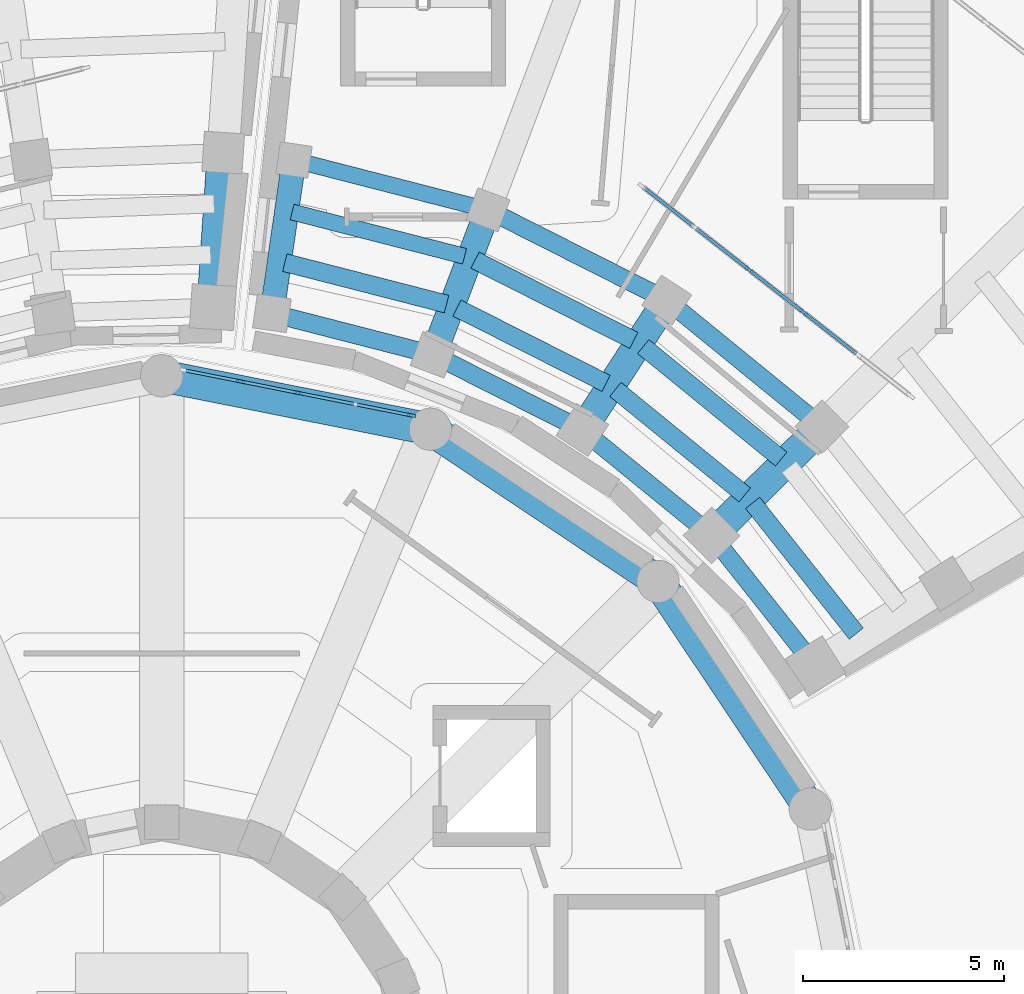
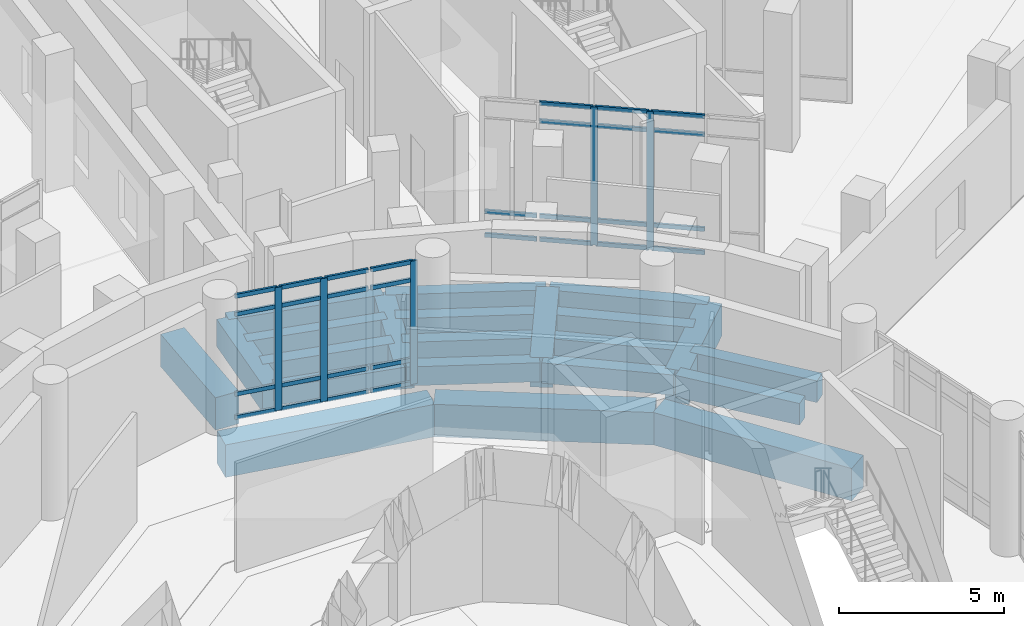
# One storey, part 24 of 74: 35 members, 22 beams, 2 elements without a shape of their own.
"""IFC4 building model written with IfcOpenShell, lengths in metres."""

from ifc_helpers import new_model, si_unit, direction, frame, origin, origin_2d, place, context, subcontext, project, spatial, rectangle, extrude, material, material_profile, profile_set, type_object, element, aggregate, save


model = new_model("IFC4")

# Units and contexts
model_context = context("Model", 3, precision=1e-05, world=origin(), true_north=direction((0.0, 1.0)))
body_context = subcontext(model_context, "Body", "Model", "MODEL_VIEW")
ifc_project = project(units=[si_unit("LENGTHUNIT", "METRE"), si_unit("AREAUNIT", "SQUARE_METRE"), si_unit("VOLUMEUNIT", "CUBIC_METRE"), si_unit("PLANEANGLEUNIT", "RADIAN"), si_unit("MASSUNIT", "GRAM", prefix="KILO")], contexts=[model_context])

# Site, building, storey
site_placement = place(None, origin())
site = spatial("IfcSite", under=ifc_project, at=site_placement, CompositionType="ELEMENT")
building_placement = place(site_placement, origin())
building = spatial("IfcBuilding", under=site, at=building_placement, Name="Soyqirgoq Riverine Aquarium", CompositionType="ELEMENT")
storey_placement = place(building_placement, origin())
storey = spatial("IfcBuildingStorey", under=building, at=storey_placement, Name="L01", CompositionType="ELEMENT", Elevation=0.0)

# Beams
ifc_material_1 = material(Name="Concrete C40/50", Category="concrete")
ifc_material_profile_1 = material_profile(ifc_material_1, rectangle(XDim=0.39990234375, YDim=0.699951171875, at=origin_2d()), Name="RC 400x700")
ifc_profile_set_1 = profile_set([ifc_material_profile_1], Name="Concrete C40/50")
beam_type_1 = type_object("IfcBeamType", Name="Beam_RC_400x700", PredefinedType="BEAM", material=ifc_profile_set_1)
beam_1_placement = place(storey_placement, frame((63.52734375, 77.421630859375, -0.699951171875), z_axis=(-0.968581092825, 0.248697942538, 0.0), x_axis=(-0.248697942538, -0.968581092825, 0.0)))
element("IfcBeam", 1, at=beam_1_placement, inside=storey, type_object=beam_type_1, Name="V5 L01 Secondary Floor Joist 0772", PredefinedType="BEAM", context=body_context, shape_type="SweptSolid", body=[
    extrude(rectangle(XDim=0.39990234375, YDim=0.699951171875, at=origin_2d()), origin(), (0.0, 0.0, 1.0), 4.42431640625),
])
beam_2_placement = place(storey_placement, frame((64.0615234375, 78.588623046875, -0.699951171875), z_axis=(-0.968580462417, 0.248700397717, 0.0), x_axis=(-0.248700397717, -0.968580462417, 0.0)))
element("IfcBeam", 2, at=beam_2_placement, inside=storey, type_object=beam_type_1, Name="V5 L01 Wedge Chord Beam 0776", PredefinedType="BEAM", context=body_context, shape_type="SweptSolid", body=[
    extrude(rectangle(XDim=0.39990234375, YDim=0.699951171875, at=origin_2d()), origin(), (0.0, 0.0, 1.0), 4.87890625),
])
ifc_material_2 = material(Name="Concrete C40/50", Category="concrete")
ifc_material_profile_2 = material_profile(ifc_material_2, rectangle(XDim=0.449951171875, YDim=0.64990234375, at=origin_2d()), Name="RC 450x650")
ifc_profile_set_2 = profile_set([ifc_material_profile_2], Name="Concrete C40/50")
beam_type_2 = type_object("IfcBeamType", Name="Beam_RC_450x650", PredefinedType="BEAM", material=ifc_profile_set_2)
beam_3_placement = place(storey_placement, frame((62.70703125, 74.984619140625, -0.675048828125), z_axis=(-0.968579337856, 0.248704777354, 0.0), x_axis=(-0.248704777354, -0.968579337856, 0.0)))
element("IfcBeam", 3, at=beam_3_placement, inside=storey, type_object=beam_type_2, Name="V5 L01 Wedge Chord Beam 0764", PredefinedType="BEAM", context=body_context, shape_type="SweptSolid", body=[
    extrude(rectangle(XDim=0.449951171875, YDim=0.64990234375, at=origin_2d()), origin(), (0.0, 0.0, 1.0), 4.04736328125),
])
beam_4_placement = place(storey_placement, frame((67.737060546875, 75.3291015625, -0.675048828125), z_axis=(-0.89260992487, 0.450829814923, 0.0), x_axis=(-0.450829814923, -0.89260992487, 0.0)))
element("IfcBeam", 4, at=beam_4_placement, inside=storey, type_object=beam_type_2, Name="V5 L01 Secondary Floor Joist 0770", PredefinedType="BEAM", context=body_context, shape_type="SweptSolid", body=[
    extrude(rectangle(XDim=0.449951171875, YDim=0.64990234375, at=origin_2d()), origin(), (0.0, 0.0, 1.0), 4.42431640625),
])
beam_5_placement = place(storey_placement, frame((63.080322265625, 76.232421875, -0.675048828125), z_axis=(-0.96858651554, 0.24867682223, 0.0), x_axis=(-0.24867682223, -0.96858651554, 0.0)))
element("IfcBeam", 5, at=beam_5_placement, inside=storey, type_object=beam_type_2, Name="V5 L01 Secondary Floor Joist 0771", PredefinedType="BEAM", context=body_context, shape_type="SweptSolid", body=[
    extrude(rectangle(XDim=0.449951171875, YDim=0.64990234375, at=origin_2d()), origin(), (0.0, 0.0, 1.0), 4.14990234375),
])
beam_6_placement = place(storey_placement, frame((68.50927734375, 76.35400390625, -0.675048828125), z_axis=(-0.892588175526, 0.450872874446, 0.0), x_axis=(-0.450872874446, -0.892588175526, 0.0)))
element("IfcBeam", 6, at=beam_6_placement, inside=storey, type_object=beam_type_2, Name="V5 L01 Wedge Chord Beam 0775", PredefinedType="BEAM", context=body_context, shape_type="SweptSolid", body=[
    extrude(rectangle(XDim=0.449951171875, YDim=0.64990234375, at=origin_2d()), origin(), (0.0, 0.0, 1.0), 4.878662109375),
])
ifc_material_3 = material(Name="Concrete C40/50", Category="concrete")
ifc_material_profile_3 = material_profile(ifc_material_3, rectangle(XDim=0.449951171875, YDim=0.699951171875, at=origin_2d()), Name="RC 450x700")
ifc_profile_set_3 = profile_set([ifc_material_profile_3], Name="Concrete C40/50")
beam_type_3 = type_object("IfcBeamType", Name="Beam_RC_450x700", PredefinedType="BEAM", material=ifc_profile_set_3)
beam_7_placement = place(storey_placement, frame((66.41259765625, 73.125, -0.699951171875), z_axis=(-0.892598018236, 0.45085338841, 0.0), x_axis=(-0.45085338841, -0.892598018236, 0.0)))
element("IfcBeam", 7, at=beam_7_placement, inside=storey, type_object=beam_type_3, Name="V5 L01 Wedge Chord Beam 0763", PredefinedType="BEAM", context=body_context, shape_type="SweptSolid", body=[
    extrude(rectangle(XDim=0.449951171875, YDim=0.699951171875, at=origin_2d()), origin(), (0.0, 0.0, 1.0), 4.047119140625),
])
beam_8_placement = place(storey_placement, frame((71.399169921875, 72.381103515625, -0.699951171875), z_axis=(-0.774944675392, 0.632029073763, 0.0), x_axis=(-0.632029073763, -0.774944675392, 0.0)))
element("IfcBeam", 8, at=beam_8_placement, inside=storey, type_object=beam_type_3, Name="V5 L01 Secondary Floor Joist 0768", PredefinedType="BEAM", context=body_context, shape_type="SweptSolid", body=[
    extrude(rectangle(XDim=0.449951171875, YDim=0.699951171875, at=origin_2d()), origin(), (0.0, 0.0, 1.0), 4.424560546875),
])
beam_9_placement = place(storey_placement, frame((67.044921875, 74.263427734375, -0.699951171875), z_axis=(-0.892584129687, 0.45088088386, 0.0), x_axis=(-0.45088088386, -0.892584129687, 0.0)))
element("IfcBeam", 9, at=beam_9_placement, inside=storey, type_object=beam_type_3, Name="V5 L01 Secondary Floor Joist 0769", PredefinedType="BEAM", context=body_context, shape_type="SweptSolid", body=[
    extrude(rectangle(XDim=0.449951171875, YDim=0.699951171875, at=origin_2d()), origin(), (0.0, 0.0, 1.0), 4.14990234375),
])
beam_10_placement = place(storey_placement, frame((72.37353515625, 73.21630859375, -0.699951171875), z_axis=(-0.77496627639, 0.632002587383, 0.0), x_axis=(-0.632002587383, -0.77496627639, 0.0)))
element("IfcBeam", 10, at=beam_10_placement, inside=storey, type_object=beam_type_3, Name="V5 L01 Wedge Chord Beam 0774", PredefinedType="BEAM", context=body_context, shape_type="SweptSolid", body=[
    extrude(rectangle(XDim=0.449951171875, YDim=0.699951171875, at=origin_2d()), origin(), (0.0, 0.0, 1.0), 4.87890625),
])
ifc_material_4 = material(Name="Concrete C40/50", Category="concrete")
ifc_material_profile_4 = material_profile(ifc_material_4, rectangle(XDim=0.449951171875, YDim=0.75, at=origin_2d()), Name="RC 450x750")
ifc_profile_set_4 = profile_set([ifc_material_profile_4], Name="Concrete C40/50")
beam_type_4 = type_object("IfcBeamType", Name="Beam_RC_450x750", PredefinedType="BEAM", material=ifc_profile_set_4)
beam_11_placement = place(storey_placement, frame((69.632080078125, 70.512939453125, -0.72509765625), z_axis=(-0.774942773491, 0.632031405719, 0.0), x_axis=(-0.632031405719, -0.774942773491, 0.0)))
element("IfcBeam", 11, at=beam_11_placement, inside=storey, type_object=beam_type_4, Name="V5 L01 Wedge Chord Beam 0762", PredefinedType="BEAM", context=body_context, shape_type="SweptSolid", body=[
    extrude(rectangle(XDim=0.449951171875, YDim=0.75, at=origin_2d()), origin(), (0.0, 0.0, 1.0), 4.047119140625),
])
beam_12_placement = place(storey_placement, frame((70.494384765625, 71.489013671875, -0.72509765625), z_axis=(-0.774939332503, 0.63203562474, 0.0), x_axis=(-0.63203562474, -0.774939332503, 0.0)))
element("IfcBeam", 12, at=beam_12_placement, inside=storey, type_object=beam_type_4, Name="V5 L01 Secondary Floor Joist 0767", PredefinedType="BEAM", context=body_context, shape_type="SweptSolid", body=[
    extrude(rectangle(XDim=0.449951171875, YDim=0.75, at=origin_2d()), origin(), (0.0, 0.0, 1.0), 4.149658203125),
])
ifc_material_5 = material(Name="Concrete C40/50", Category="concrete")
ifc_material_profile_5 = material_profile(ifc_material_5, rectangle(XDim=0.449951171875, YDim=0.800048828125, at=origin_2d()), Name="RC 450x800")
ifc_profile_set_5 = profile_set([ifc_material_profile_5], Name="Concrete C40/50")
beam_type_5 = type_object("IfcBeamType", Name="Beam_RC_450x800", PredefinedType="BEAM", material=ifc_profile_set_5)
beam_13_placement = place(storey_placement, frame((72.2158203125, 67.2705078125, -0.75), z_axis=(-0.621164833429, 0.783679940863, 0.0), x_axis=(-0.783679940863, -0.621164833429, 0.0)))
element("IfcBeam", 13, at=beam_13_placement, inside=storey, type_object=beam_type_5, Name="V5 L01 Wedge Chord Beam 0761", PredefinedType="BEAM", context=body_context, shape_type="SweptSolid", body=[
    extrude(rectangle(XDim=0.449951171875, YDim=0.800048828125, at=origin_2d()), origin(), (0.0, 0.0, 1.0), 4.047119140625),
])
beam_14_placement = place(storey_placement, frame((73.267578125, 68.03857421875, -0.75), z_axis=(-0.621144365727, 0.783696163653, 0.0), x_axis=(-0.783696163653, -0.621144365727, 0.0)))
element("IfcBeam", 14, at=beam_14_placement, inside=storey, type_object=beam_type_5, Name="V5 L01 Secondary Floor Joist 0765", PredefinedType="BEAM", context=body_context, shape_type="SweptSolid", body=[
    extrude(rectangle(XDim=0.449951171875, YDim=0.800048828125, at=origin_2d()), origin(), (0.0, 0.0, 1.0), 4.14990234375),
])

# Curtain wall, members
ifc_material_6 = material(Name="Anodised aluminium thermally broken triple low-E glazing", Category="aluminium")
curtain_wall_type_1 = type_object("IfcCurtainWallType", Name="CW_DrumGallery_Unitised", PredefinedType="NOTDEFINED", material=ifc_material_6)
curtain_wall_1_placement = place(storey_placement, origin())
curtain_wall_1 = element("IfcCurtainWall", 15, at=curtain_wall_1_placement, inside=storey, type_object=curtain_wall_type_1, Name="V1 L01 Curtain Wall 012", PredefinedType="NOTDEFINED")
ifc_material_7 = material(Name="Anodised aluminium 6063-T6", Category="aluminium")
ifc_material_profile_6 = material_profile(ifc_material_7, rectangle(XDim=0.080078125, YDim=0.219970703125, at=origin_2d()), Name="ALU-M 80x220")
ifc_profile_set_6 = profile_set([ifc_material_profile_6], Name="Anodised aluminium 6063-T6")
member_type_1 = type_object("IfcMemberType", Name="CWMullion_80x220", PredefinedType="MULLION", material=ifc_profile_set_6)
member_1_placement = place(storey_placement, frame((62.20947265625, 73.46484375, 0.0), z_axis=(0.0, 0.0, 1.0), x_axis=(-0.195074782196, -0.980788371338, 0.0)))
member_1 = element("IfcMember", 16, at=member_1_placement, type_object=member_type_1, Name="CW-01 mullion 1", PredefinedType="MULLION", context=body_context, shape_type="SweptSolid", body=[
    extrude(rectangle(XDim=0.080078125, YDim=0.219970703125, at=origin_2d()), origin(), (0.0, 0.0, 1.0), 4.550048828125),
])
member_2_placement = place(storey_placement, frame((59.38671875, 74.0263671875, 0.0), z_axis=(0.0, 0.0, 1.0), x_axis=(-0.195074782196, -0.980788371338, 0.0)))
member_2 = element("IfcMember", 17, at=member_2_placement, type_object=member_type_1, Name="CW-01 mullion 3", PredefinedType="MULLION", context=body_context, shape_type="SweptSolid", body=[
    extrude(rectangle(XDim=0.080078125, YDim=0.219970703125, at=origin_2d()), origin(), (0.0, 0.0, 1.0), 4.550048828125),
])
member_3_placement = place(storey_placement, frame((57.955810546875, 74.31103515625, 0.0), z_axis=(0.0, 0.0, 1.0), x_axis=(-0.195074782196, -0.980788371338, 0.0)))
member_3 = element("IfcMember", 18, at=member_3_placement, type_object=member_type_1, Name="CW-01 mullion 4", PredefinedType="MULLION", context=body_context, shape_type="SweptSolid", body=[
    extrude(rectangle(XDim=0.080078125, YDim=0.219970703125, at=origin_2d()), origin(), (0.0, 0.0, 1.0), 4.550048828125),
])

ifc_material_8 = material(Name="Cast polymethyl methacrylate PMMA Habitat Viewing Glazing", Category="glass")
curtain_wall_type_2 = type_object("IfcCurtainWallType", Name="CW_Interior_TankVitrine", PredefinedType="NOTDEFINED", material=ifc_material_8)
curtain_wall_2_placement = place(storey_placement, origin())
curtain_wall_2 = element("IfcCurtainWall", 19, at=curtain_wall_2_placement, inside=storey, type_object=curtain_wall_type_2, Name="V5 L01 Curtain Wall 157", PredefinedType="NOTDEFINED")
member_4_placement = place(storey_placement, frame((71.952880859375, 76.02978515625, 0.0), z_axis=(0.0, 0.0, 1.0), x_axis=(-0.615661060826, -0.788011077449, 0.0)))
member_4 = element("IfcMember", 20, at=member_4_placement, type_object=member_type_1, Name="CW-07 mullion 3", PredefinedType="MULLION", context=body_context, shape_type="SweptSolid", body=[
    extrude(rectangle(XDim=0.080078125, YDim=0.219970703125, at=origin_2d()), origin(), (0.0, 0.0, 1.0), 5.10009765625),
])
member_5_placement = place(storey_placement, frame((70.60498046875, 77.082763671875, 0.0), z_axis=(0.0, 0.0, 1.0), x_axis=(-0.615661060826, -0.788011077449, 0.0)))
member_5 = element("IfcMember", 21, at=member_5_placement, type_object=member_type_1, Name="CW-07 mullion 4", PredefinedType="MULLION", context=body_context, shape_type="SweptSolid", body=[
    extrude(rectangle(XDim=0.080078125, YDim=0.219970703125, at=origin_2d()), origin(), (0.0, 0.0, 1.0), 5.10009765625),
])

# Member
ifc_material_9 = material(Name="Anodised aluminium 6063-T6", Category="aluminium")
ifc_material_profile_7 = material_profile(ifc_material_9, rectangle(XDim=0.074951171875, YDim=0.14990234375, at=origin_2d()), Name="ALU-T 75x150")
ifc_profile_set_7 = profile_set([ifc_material_profile_7], Name="Anodised aluminium 6063-T6")
member_type_2 = type_object("IfcMemberType", Name="CWTransom_75x150", PredefinedType="USERDEFINED", material=ifc_profile_set_7)
member_6_placement = place(storey_placement, frame((62.17041015625, 73.47265625, 0.03759765625), z_axis=(-0.980790461334, 0.195064273909, 0.0), x_axis=(-0.195064273909, -0.980790461334, 0.0)))
member_6 = element("IfcMember", 22, at=member_6_placement, type_object=member_type_2, Name="CW-01 transom 1.1", ObjectType="TRANSOM", PredefinedType="USERDEFINED", context=body_context, shape_type="SweptSolid", body=[
    extrude(rectangle(XDim=0.074951171875, YDim=0.14990234375, at=origin_2d()), origin(), (0.0, 0.0, 1.0), 1.339111328125),
])

member_7_placement = place(storey_placement, frame((62.17041015625, 73.47265625, 0.89990234375), z_axis=(-0.980790461334, 0.195064273909, 0.0), x_axis=(-0.195064273909, -0.980790461334, 0.0)))
member_7 = element("IfcMember", 23, at=member_7_placement, type_object=member_type_2, Name="CW-01 transom 1.2", ObjectType="TRANSOM", PredefinedType="USERDEFINED", context=body_context, shape_type="SweptSolid", body=[
    extrude(rectangle(XDim=0.074951171875, YDim=0.14990234375, at=origin_2d()), origin(), (0.0, 0.0, 1.0), 1.339111328125),
])

member_8_placement = place(storey_placement, frame((62.17041015625, 73.47265625, 3.85009765625), z_axis=(-0.980790461334, 0.195064273909, 0.0), x_axis=(-0.195064273909, -0.980790461334, 0.0)))
member_8 = element("IfcMember", 24, at=member_8_placement, type_object=member_type_2, Name="CW-01 transom 1.3", ObjectType="TRANSOM", PredefinedType="USERDEFINED", context=body_context, shape_type="SweptSolid", body=[
    extrude(rectangle(XDim=0.074951171875, YDim=0.14990234375, at=origin_2d()), origin(), (0.0, 0.0, 1.0), 1.339111328125),
])

member_9_placement = place(storey_placement, frame((62.17041015625, 73.47265625, 4.512451171875), z_axis=(-0.980790461334, 0.195064273909, 0.0), x_axis=(-0.195064273909, -0.980790461334, 0.0)))
member_9 = element("IfcMember", 25, at=member_9_placement, type_object=member_type_2, Name="CW-01 transom 1.4", ObjectType="TRANSOM", PredefinedType="USERDEFINED", context=body_context, shape_type="SweptSolid", body=[
    extrude(rectangle(XDim=0.074951171875, YDim=0.14990234375, at=origin_2d()), origin(), (0.0, 0.0, 1.0), 1.339111328125),
])

member_10_placement = place(storey_placement, frame((60.778564453125, 73.74951171875, 0.03759765625), z_axis=(-0.98078441711, 0.195094662032, 0.0), x_axis=(-0.195094662032, -0.98078441711, 0.0)))
member_10 = element("IfcMember", 26, at=member_10_placement, type_object=member_type_2, Name="CW-01 transom 2.1", ObjectType="TRANSOM", PredefinedType="USERDEFINED", context=body_context, shape_type="SweptSolid", body=[
    extrude(rectangle(XDim=0.074951171875, YDim=0.14990234375, at=origin_2d()), origin(), (0.0, 0.0, 1.0), 1.379150390625),
])

member_11_placement = place(storey_placement, frame((60.778564453125, 73.74951171875, 0.89990234375), z_axis=(-0.98078441711, 0.195094662032, 0.0), x_axis=(-0.195094662032, -0.98078441711, 0.0)))
member_11 = element("IfcMember", 27, at=member_11_placement, type_object=member_type_2, Name="CW-01 transom 2.2", ObjectType="TRANSOM", PredefinedType="USERDEFINED", context=body_context, shape_type="SweptSolid", body=[
    extrude(rectangle(XDim=0.074951171875, YDim=0.14990234375, at=origin_2d()), origin(), (0.0, 0.0, 1.0), 1.379150390625),
])

member_12_placement = place(storey_placement, frame((60.778564453125, 73.74951171875, 3.85009765625), z_axis=(-0.98078441711, 0.195094662032, 0.0), x_axis=(-0.195094662032, -0.98078441711, 0.0)))
member_12 = element("IfcMember", 28, at=member_12_placement, type_object=member_type_2, Name="CW-01 transom 2.3", ObjectType="TRANSOM", PredefinedType="USERDEFINED", context=body_context, shape_type="SweptSolid", body=[
    extrude(rectangle(XDim=0.074951171875, YDim=0.14990234375, at=origin_2d()), origin(), (0.0, 0.0, 1.0), 1.379150390625),
])

member_13_placement = place(storey_placement, frame((60.778564453125, 73.74951171875, 4.512451171875), z_axis=(-0.98078441711, 0.195094662032, 0.0), x_axis=(-0.195094662032, -0.98078441711, 0.0)))
member_13 = element("IfcMember", 29, at=member_13_placement, type_object=member_type_2, Name="CW-01 transom 2.4", ObjectType="TRANSOM", PredefinedType="USERDEFINED", context=body_context, shape_type="SweptSolid", body=[
    extrude(rectangle(XDim=0.074951171875, YDim=0.14990234375, at=origin_2d()), origin(), (0.0, 0.0, 1.0), 1.379150390625),
])

member_14_placement = place(storey_placement, frame((59.347412109375, 74.0341796875, 0.03759765625), z_axis=(-0.98078441711, 0.195094662032, 0.0), x_axis=(-0.195094662032, -0.98078441711, 0.0)))
member_14 = element("IfcMember", 30, at=member_14_placement, type_object=member_type_2, Name="CW-01 transom 3.1", ObjectType="TRANSOM", PredefinedType="USERDEFINED", context=body_context, shape_type="SweptSolid", body=[
    extrude(rectangle(XDim=0.074951171875, YDim=0.14990234375, at=origin_2d()), origin(), (0.0, 0.0, 1.0), 1.379150390625),
])

member_15_placement = place(storey_placement, frame((59.347412109375, 74.0341796875, 0.89990234375), z_axis=(-0.98078441711, 0.195094662032, 0.0), x_axis=(-0.195094662032, -0.98078441711, 0.0)))
member_15 = element("IfcMember", 31, at=member_15_placement, type_object=member_type_2, Name="CW-01 transom 3.2", ObjectType="TRANSOM", PredefinedType="USERDEFINED", context=body_context, shape_type="SweptSolid", body=[
    extrude(rectangle(XDim=0.074951171875, YDim=0.14990234375, at=origin_2d()), origin(), (0.0, 0.0, 1.0), 1.379150390625),
])

member_16_placement = place(storey_placement, frame((59.347412109375, 74.0341796875, 3.85009765625), z_axis=(-0.98078441711, 0.195094662032, 0.0), x_axis=(-0.195094662032, -0.98078441711, 0.0)))
member_16 = element("IfcMember", 32, at=member_16_placement, type_object=member_type_2, Name="CW-01 transom 3.3", ObjectType="TRANSOM", PredefinedType="USERDEFINED", context=body_context, shape_type="SweptSolid", body=[
    extrude(rectangle(XDim=0.074951171875, YDim=0.14990234375, at=origin_2d()), origin(), (0.0, 0.0, 1.0), 1.379150390625),
])

member_17_placement = place(storey_placement, frame((59.347412109375, 74.0341796875, 4.512451171875), z_axis=(-0.98078441711, 0.195094662032, 0.0), x_axis=(-0.195094662032, -0.98078441711, 0.0)))
member_17 = element("IfcMember", 33, at=member_17_placement, type_object=member_type_2, Name="CW-01 transom 3.4", ObjectType="TRANSOM", PredefinedType="USERDEFINED", context=body_context, shape_type="SweptSolid", body=[
    extrude(rectangle(XDim=0.074951171875, YDim=0.14990234375, at=origin_2d()), origin(), (0.0, 0.0, 1.0), 1.379150390625),
])

member_18_placement = place(storey_placement, frame((57.91650390625, 74.31884765625, 0.03759765625), z_axis=(-0.980783522829, 0.19509915773, 0.0), x_axis=(-0.19509915773, -0.980783522829, 0.0)))
member_18 = element("IfcMember", 34, at=member_18_placement, type_object=member_type_2, Name="CW-01 transom 4.1", ObjectType="TRANSOM", PredefinedType="USERDEFINED", context=body_context, shape_type="SweptSolid", body=[
    extrude(rectangle(XDim=0.074951171875, YDim=0.14990234375, at=origin_2d()), origin(), (0.0, 0.0, 1.0), 1.3388671875),
])

member_19_placement = place(storey_placement, frame((57.91650390625, 74.31884765625, 0.89990234375), z_axis=(-0.980783522829, 0.19509915773, 0.0), x_axis=(-0.19509915773, -0.980783522829, 0.0)))
member_19 = element("IfcMember", 35, at=member_19_placement, type_object=member_type_2, Name="CW-01 transom 4.2", ObjectType="TRANSOM", PredefinedType="USERDEFINED", context=body_context, shape_type="SweptSolid", body=[
    extrude(rectangle(XDim=0.074951171875, YDim=0.14990234375, at=origin_2d()), origin(), (0.0, 0.0, 1.0), 1.3388671875),
])

member_20_placement = place(storey_placement, frame((57.91650390625, 74.31884765625, 3.85009765625), z_axis=(-0.980783522829, 0.19509915773, 0.0), x_axis=(-0.19509915773, -0.980783522829, 0.0)))
member_20 = element("IfcMember", 36, at=member_20_placement, type_object=member_type_2, Name="CW-01 transom 4.3", ObjectType="TRANSOM", PredefinedType="USERDEFINED", context=body_context, shape_type="SweptSolid", body=[
    extrude(rectangle(XDim=0.074951171875, YDim=0.14990234375, at=origin_2d()), origin(), (0.0, 0.0, 1.0), 1.3388671875),
])

member_21_placement = place(storey_placement, frame((57.91650390625, 74.31884765625, 4.512451171875), z_axis=(-0.980783522829, 0.19509915773, 0.0), x_axis=(-0.19509915773, -0.980783522829, 0.0)))
member_21 = element("IfcMember", 37, at=member_21_placement, type_object=member_type_2, Name="CW-01 transom 4.4", ObjectType="TRANSOM", PredefinedType="USERDEFINED", context=body_context, shape_type="SweptSolid", body=[
    extrude(rectangle(XDim=0.074951171875, YDim=0.14990234375, at=origin_2d()), origin(), (0.0, 0.0, 1.0), 1.3388671875),
])

aggregate(curtain_wall_1, [member_1, member_2, member_3, member_6, member_7, member_8, member_9, member_10, member_11, member_12, member_13, member_14, member_15, member_16, member_17, member_18, member_19, member_20, member_21])

member_22_placement = place(storey_placement, frame((73.26904296875, 75.001220703125, 0.03759765625), z_axis=(-0.787947180465, 0.615742836578, 0.0), x_axis=(-0.615742836578, -0.787947180465, 0.0)))
member_22 = element("IfcMember", 38, at=member_22_placement, type_object=member_type_2, Name="CW-07 transom 2.1", ObjectType="TRANSOM", PredefinedType="USERDEFINED", context=body_context, shape_type="SweptSolid", body=[
    extrude(rectangle(XDim=0.074951171875, YDim=0.14990234375, at=origin_2d()), origin(), (0.0, 0.0, 1.0), 1.63037109375),
])

member_23_placement = place(storey_placement, frame((73.26904296875, 75.001220703125, 0.89990234375), z_axis=(-0.787947180465, 0.615742836578, 0.0), x_axis=(-0.615742836578, -0.787947180465, 0.0)))
member_23 = element("IfcMember", 39, at=member_23_placement, type_object=member_type_2, Name="CW-07 transom 2.2", ObjectType="TRANSOM", PredefinedType="USERDEFINED", context=body_context, shape_type="SweptSolid", body=[
    extrude(rectangle(XDim=0.074951171875, YDim=0.14990234375, at=origin_2d()), origin(), (0.0, 0.0, 1.0), 1.63037109375),
])

member_24_placement = place(storey_placement, frame((73.26904296875, 75.001220703125, 4.39990234375), z_axis=(-0.787947180465, 0.615742836578, 0.0), x_axis=(-0.615742836578, -0.787947180465, 0.0)))
member_24 = element("IfcMember", 40, at=member_24_placement, type_object=member_type_2, Name="CW-07 transom 2.3", ObjectType="TRANSOM", PredefinedType="USERDEFINED", context=body_context, shape_type="SweptSolid", body=[
    extrude(rectangle(XDim=0.074951171875, YDim=0.14990234375, at=origin_2d()), origin(), (0.0, 0.0, 1.0), 1.63037109375),
])

member_25_placement = place(storey_placement, frame((73.26904296875, 75.001220703125, 5.0625), z_axis=(-0.787947180465, 0.615742836578, 0.0), x_axis=(-0.615742836578, -0.787947180465, 0.0)))
member_25 = element("IfcMember", 41, at=member_25_placement, type_object=member_type_2, Name="CW-07 transom 2.4", ObjectType="TRANSOM", PredefinedType="USERDEFINED", context=body_context, shape_type="SweptSolid", body=[
    extrude(rectangle(XDim=0.074951171875, YDim=0.14990234375, at=origin_2d()), origin(), (0.0, 0.0, 1.0), 1.63037109375),
])

member_26_placement = place(storey_placement, frame((71.92138671875, 76.054443359375, 0.03759765625), z_axis=(-0.788076584323, 0.615577206565, 0.0), x_axis=(-0.615577206565, -0.788076584323, 0.0)))
member_26 = element("IfcMember", 42, at=member_26_placement, type_object=member_type_2, Name="CW-07 transom 3.1", ObjectType="TRANSOM", PredefinedType="USERDEFINED", context=body_context, shape_type="SweptSolid", body=[
    extrude(rectangle(XDim=0.074951171875, YDim=0.14990234375, at=origin_2d()), origin(), (0.0, 0.0, 1.0), 1.63037109375),
])

member_27_placement = place(storey_placement, frame((71.92138671875, 76.054443359375, 0.89990234375), z_axis=(-0.788076584323, 0.615577206565, 0.0), x_axis=(-0.615577206565, -0.788076584323, 0.0)))
member_27 = element("IfcMember", 43, at=member_27_placement, type_object=member_type_2, Name="CW-07 transom 3.2", ObjectType="TRANSOM", PredefinedType="USERDEFINED", context=body_context, shape_type="SweptSolid", body=[
    extrude(rectangle(XDim=0.074951171875, YDim=0.14990234375, at=origin_2d()), origin(), (0.0, 0.0, 1.0), 1.63037109375),
])

member_28_placement = place(storey_placement, frame((71.92138671875, 76.054443359375, 4.39990234375), z_axis=(-0.788076584323, 0.615577206565, 0.0), x_axis=(-0.615577206565, -0.788076584323, 0.0)))
member_28 = element("IfcMember", 44, at=member_28_placement, type_object=member_type_2, Name="CW-07 transom 3.3", ObjectType="TRANSOM", PredefinedType="USERDEFINED", context=body_context, shape_type="SweptSolid", body=[
    extrude(rectangle(XDim=0.074951171875, YDim=0.14990234375, at=origin_2d()), origin(), (0.0, 0.0, 1.0), 1.63037109375),
])

member_29_placement = place(storey_placement, frame((71.92138671875, 76.054443359375, 5.0625), z_axis=(-0.788076584323, 0.615577206565, 0.0), x_axis=(-0.615577206565, -0.788076584323, 0.0)))
member_29 = element("IfcMember", 45, at=member_29_placement, type_object=member_type_2, Name="CW-07 transom 3.4", ObjectType="TRANSOM", PredefinedType="USERDEFINED", context=body_context, shape_type="SweptSolid", body=[
    extrude(rectangle(XDim=0.074951171875, YDim=0.14990234375, at=origin_2d()), origin(), (0.0, 0.0, 1.0), 1.63037109375),
])

member_30_placement = place(storey_placement, frame((70.573486328125, 77.107421875, 0.03759765625), z_axis=(-0.788019832869, 0.615649854223, 0.0), x_axis=(-0.615649854223, -0.788019832869, 0.0)))
member_30 = element("IfcMember", 46, at=member_30_placement, type_object=member_type_2, Name="CW-07 transom 4.1", ObjectType="TRANSOM", PredefinedType="USERDEFINED", context=body_context, shape_type="SweptSolid", body=[
    extrude(rectangle(XDim=0.074951171875, YDim=0.14990234375, at=origin_2d()), origin(), (0.0, 0.0, 1.0), 1.630126953125),
])

member_31_placement = place(storey_placement, frame((70.573486328125, 77.107421875, 0.89990234375), z_axis=(-0.788019832869, 0.615649854223, 0.0), x_axis=(-0.615649854223, -0.788019832869, 0.0)))
member_31 = element("IfcMember", 47, at=member_31_placement, type_object=member_type_2, Name="CW-07 transom 4.2", ObjectType="TRANSOM", PredefinedType="USERDEFINED", context=body_context, shape_type="SweptSolid", body=[
    extrude(rectangle(XDim=0.074951171875, YDim=0.14990234375, at=origin_2d()), origin(), (0.0, 0.0, 1.0), 1.630126953125),
])

member_32_placement = place(storey_placement, frame((70.573486328125, 77.107421875, 4.39990234375), z_axis=(-0.788019832869, 0.615649854223, 0.0), x_axis=(-0.615649854223, -0.788019832869, 0.0)))
member_32 = element("IfcMember", 48, at=member_32_placement, type_object=member_type_2, Name="CW-07 transom 4.3", ObjectType="TRANSOM", PredefinedType="USERDEFINED", context=body_context, shape_type="SweptSolid", body=[
    extrude(rectangle(XDim=0.074951171875, YDim=0.14990234375, at=origin_2d()), origin(), (0.0, 0.0, 1.0), 1.630126953125),
])

member_33_placement = place(storey_placement, frame((70.573486328125, 77.107421875, 5.0625), z_axis=(-0.788019832869, 0.615649854223, 0.0), x_axis=(-0.615649854223, -0.788019832869, 0.0)))
member_33 = element("IfcMember", 49, at=member_33_placement, type_object=member_type_2, Name="CW-07 transom 4.4", ObjectType="TRANSOM", PredefinedType="USERDEFINED", context=body_context, shape_type="SweptSolid", body=[
    extrude(rectangle(XDim=0.074951171875, YDim=0.14990234375, at=origin_2d()), origin(), (0.0, 0.0, 1.0), 1.630126953125),
])

member_34_placement = place(storey_placement, frame((69.225830078125, 78.160400390625, 0.03759765625), z_axis=(-0.788036011203, 0.615629145709, 0.0), x_axis=(-0.615629145709, -0.788036011203, 0.0)))
member_34 = element("IfcMember", 50, at=member_34_placement, type_object=member_type_2, Name="CW-07 transom 5.1", ObjectType="TRANSOM", PredefinedType="USERDEFINED", context=body_context, shape_type="SweptSolid", body=[
    extrude(rectangle(XDim=0.074951171875, YDim=0.14990234375, at=origin_2d()), origin(), (0.0, 0.0, 1.0), 1.59033203125),
])

member_35_placement = place(storey_placement, frame((69.225830078125, 78.160400390625, 0.89990234375), z_axis=(-0.788036011203, 0.615629145709, 0.0), x_axis=(-0.615629145709, -0.788036011203, 0.0)))
member_35 = element("IfcMember", 51, at=member_35_placement, type_object=member_type_2, Name="CW-07 transom 5.2", ObjectType="TRANSOM", PredefinedType="USERDEFINED", context=body_context, shape_type="SweptSolid", body=[
    extrude(rectangle(XDim=0.074951171875, YDim=0.14990234375, at=origin_2d()), origin(), (0.0, 0.0, 1.0), 1.59033203125),
])

aggregate(curtain_wall_2, [member_4, member_5, member_22, member_23, member_24, member_25, member_26, member_27, member_28, member_29, member_30, member_31, member_32, member_33, member_34, member_35])

# Beams
ifc_material_10 = material(Name="Concrete C40/50", Category="concrete")
ifc_material_profile_8 = material_profile(ifc_material_10, rectangle(XDim=0.60009765625, YDim=1.0, at=origin_2d()), Name="RC 600x1000")
ifc_profile_set_8 = profile_set([ifc_material_profile_8], Name="Concrete C40/50")
beam_type_6 = type_object("IfcBeamType", Name="Girder_RC_600x1000", PredefinedType="BEAM", material=ifc_profile_set_8)
beam_15_placement = place(storey_placement, frame((58.74560546875, 76.05322265625, -0.85009765625), z_axis=(0.142642597363, 0.989774261848, 0.0), x_axis=(-0.989774261848, 0.142642597363, 0.0)))
element("IfcBeam", 52, at=beam_15_placement, inside=storey, type_object=beam_type_6, Name="V5 L01 Wedge Radial Girder 0759", PredefinedType="BEAM", context=body_context, shape_type="SweptSolid", body=[
    extrude(rectangle(XDim=0.60009765625, YDim=1.0, at=origin_2d()), origin(), (0.0, 0.0, 1.0), 3.75),
])
ifc_material_11 = material(Name="Concrete C40/50", Category="concrete")
ifc_material_profile_9 = material_profile(ifc_material_11, rectangle(XDim=0.64990234375, YDim=1.0, at=origin_2d()), Name="RC 650x1000")
ifc_profile_set_9 = profile_set([ifc_material_profile_9], Name="Concrete C40/50")
beam_type_7 = type_object("IfcBeamType", Name="Girder_RC_650x1000", PredefinedType="BEAM", material=ifc_profile_set_9)
beam_16_placement = place(storey_placement, frame((62.77294921875, 75.01904296875, -0.85009765625), z_axis=(0.351822543862, 0.936066716442, 0.0), x_axis=(-0.936066716442, 0.351822543862, 0.0)))
element("IfcBeam", 53, at=beam_16_placement, inside=storey, type_object=beam_type_7, Name="V5 L01 Wedge Radial Girder 0756", PredefinedType="BEAM", context=body_context, shape_type="SweptSolid", body=[
    extrude(rectangle(XDim=0.64990234375, YDim=1.0, at=origin_2d()), origin(), (0.0, 0.0, 1.0), 3.75),
])
ifc_material_12 = material(Name="Concrete C40/50", Category="concrete")
ifc_material_profile_10 = material_profile(ifc_material_12, rectangle(XDim=0.699951171875, YDim=1.10009765625, at=origin_2d()), Name="RC 700x1100")
ifc_profile_set_10 = profile_set([ifc_material_profile_10], Name="Concrete C40/50")
beam_type_8 = type_object("IfcBeamType", Name="Girder_RC_700x1100", PredefinedType="BEAM", material=ifc_profile_set_10)
beam_17_placement = place(storey_placement, frame((66.484375, 73.144287109375, -0.89990234375), z_axis=(0.544578680372, 0.838709759621, 0.0), x_axis=(-0.838709759621, 0.544578680372, 0.0)))
element("IfcBeam", 54, at=beam_17_placement, inside=storey, type_object=beam_type_8, Name="V5 L01 Wedge Radial Girder 0754", PredefinedType="BEAM", context=body_context, shape_type="SweptSolid", body=[
    extrude(rectangle(XDim=0.699951171875, YDim=1.10009765625, at=origin_2d()), origin(), (0.0, 0.0, 1.0), 3.75),
])
ifc_material_13 = material(Name="Concrete C40/50", Category="concrete")
ifc_material_profile_11 = material_profile(ifc_material_13, rectangle(XDim=0.75, YDim=1.199951171875, at=origin_2d()), Name="RC 750x1200")
ifc_profile_set_11 = profile_set([ifc_material_profile_11], Name="Concrete C40/50")
beam_type_9 = type_object("IfcBeamType", Name="Girder_RC_750x1200", PredefinedType="BEAM", material=ifc_profile_set_11)
beam_18_placement = place(storey_placement, frame((69.70654296875, 70.516357421875, -0.949951171875), z_axis=(0.712037338503, 0.702141601514, 0.0), x_axis=(-0.702141601514, 0.712037338503, 0.0)))
element("IfcBeam", 55, at=beam_18_placement, inside=storey, type_object=beam_type_9, Name="V5 L01 Wedge Radial Girder 0750", PredefinedType="BEAM", context=body_context, shape_type="SweptSolid", body=[
    extrude(rectangle(XDim=0.75, YDim=1.199951171875, at=origin_2d()), origin(), (0.0, 0.0, 1.0), 3.75),
])
ifc_material_14 = material(Name="Concrete C40/50", Category="concrete")
ifc_material_profile_12 = material_profile(ifc_material_14, rectangle(XDim=0.800048828125, YDim=1.199951171875, at=origin_2d()), Name="RC 800x1200")
ifc_profile_set_12 = profile_set([ifc_material_profile_12], Name="Concrete C40/50")
beam_type_10 = type_object("IfcBeamType", Name="Girder_RC_800x1200", PredefinedType="BEAM", material=ifc_profile_set_12)
for number, where, z_axis, x_axis, name in (
    (56, (72.093994140625, 63.719482421875, -1.050048828125), (-0.555598478126, 0.831450738832, 0.0), (-0.831450738832, -0.555598478126, 0.0), "V1 L01 Drum Ring Girder 0002"),
    (57, (68.29736328125, 69.36669921875, -1.050048828125), (-0.831450738832, 0.555598478126, 0.0), (-0.555598478126, -0.831450738832, 0.0), "V1 L01 Drum Ring Girder 0004"),
):
    element("IfcBeam", number, at=place(storey_placement, frame(where, z_axis=z_axis, x_axis=x_axis)), inside=storey, type_object=beam_type_10, Name=name, PredefinedType="BEAM", context=body_context, shape_type="SweptSolid", body=[
        extrude(rectangle(XDim=0.800048828125, YDim=1.199951171875, at=origin_2d()), origin(), (0.0, 0.0, 1.0), 6.70849609375),
    ])
beam_19_placement = place(storey_placement, frame((62.62890625, 73.131591796875, -1.050048828125), z_axis=(-0.980791457792, 0.195059263618, 0.0), x_axis=(-0.195059263618, -0.980791457792, 0.0)))
element("IfcBeam", 58, at=beam_19_placement, inside=storey, type_object=beam_type_10, Name="V1 L01 Drum Ring Girder 0006", PredefinedType="BEAM", context=body_context, shape_type="SweptSolid", body=[
    extrude(rectangle(XDim=0.800048828125, YDim=1.199951171875, at=origin_2d()), origin(), (0.0, 0.0, 1.0), 6.708740234375),
])
beam_20_placement = place(storey_placement, frame((57.27587890625, 76.207763671875, -0.949951171875), z_axis=(0.066277024889, 0.997801260759, 0.0), x_axis=(-0.997801260759, 0.066277024889, 0.0)))
element("IfcBeam", 59, at=beam_20_placement, inside=storey, type_object=beam_type_10, Name="V4 L01 Wedge Radial Girder 0466", PredefinedType="BEAM", context=body_context, shape_type="SweptSolid", body=[
    extrude(rectangle(XDim=0.800048828125, YDim=1.199951171875, at=origin_2d()), origin(), (0.0, 0.0, 1.0), 3.75),
])

save(model, "model.ifc")
